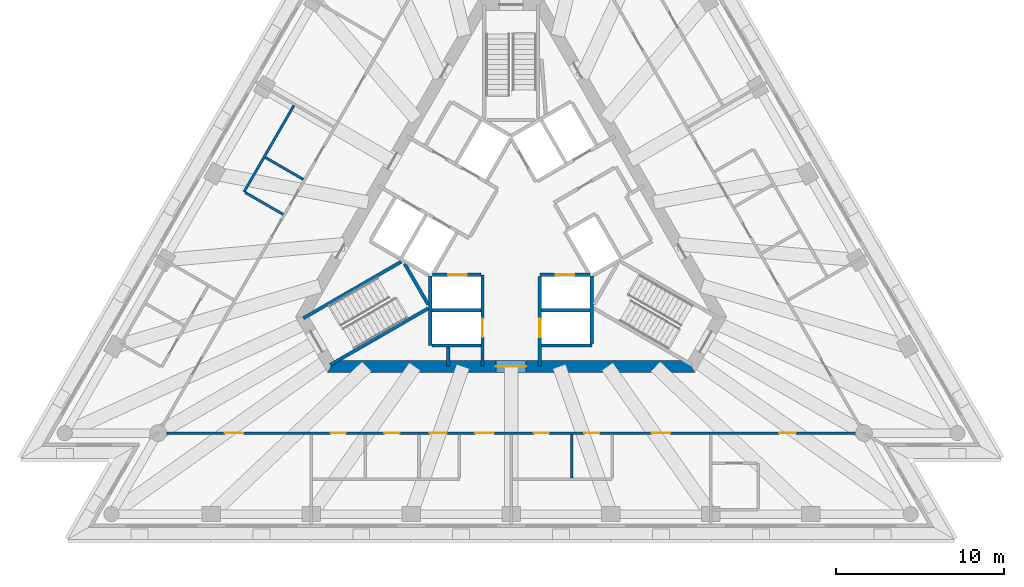
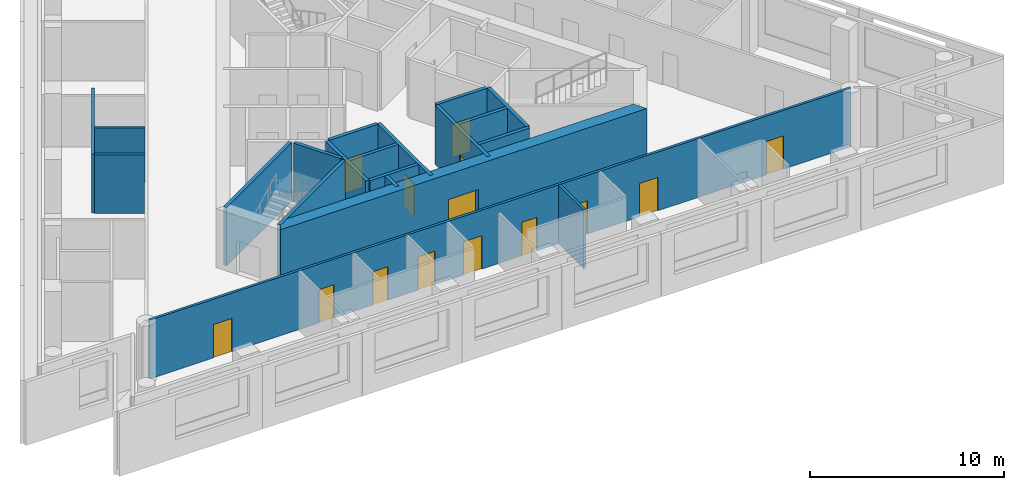
# One storey, part 3 of 9: 20 walls, 14 doors, 14 openings.
"""IFC4 building model written with IfcOpenShell, lengths in metres."""

from ifc_helpers import new_model, si_unit, direction, frame, frame_2d, origin, place, context, subcontext, project, spatial, polyline, rectangle, outline, extrude, material, layer, layer_set, type_object, element, fill, save


model = new_model("IFC4")

# Units and contexts
model_context = context("Model", 3, precision=1e-05, world=origin(), true_north=direction((0.0, 1.0)))
body_context = subcontext(model_context, "Body", "Model", "MODEL_VIEW")
ifc_project = project(units=[si_unit("LENGTHUNIT", "METRE"), si_unit("AREAUNIT", "SQUARE_METRE"), si_unit("VOLUMEUNIT", "CUBIC_METRE"), si_unit("PLANEANGLEUNIT", "RADIAN"), si_unit("MASSUNIT", "GRAM", prefix="KILO")], contexts=[model_context])

# Site, building, storey
site_placement = place(None, origin())
site = spatial("IfcSite", under=ifc_project, at=site_placement, CompositionType="ELEMENT")
building_placement = place(site_placement, origin())
building = spatial("IfcBuilding", under=site, at=building_placement, Name="Triada Interchange Tower", CompositionType="ELEMENT")
storey_placement = place(building_placement, frame((0.0, 0.0, 227.300048828125)))
storey = spatial("IfcBuildingStorey", under=building, at=storey_placement, Name="L53", CompositionType="ELEMENT", Elevation=227.300048828125)

# Walls
ifc_material_1 = material(Name="Concrete C30/37", Category="concrete")
ifc_layer_1 = layer(ifc_material_1, 0.199951171875)
ifc_layer_set_1 = layer_set([ifc_layer_1], Name="CORE WALL 200 EI 120")
wall_type_1 = type_object("IfcWallType", Name="CORE WALL 200 EI 120", PredefinedType="SOLIDWALL", material=ifc_layer_set_1)
for number, where, z_axis, x_axis, name in (
    (1, (-4.699951171875, -4.800048828125, 0.0), (0.0, 0.0, 1.0), (1.0, 0.0, 0.0), "Wall L53 44"),
    (2, (1.800048828125, -4.800048828125, 0.0), (0.0, 0.0, 1.0), (1.0, 0.0, 0.0), "Wall L53 45"),
):
    element("IfcWall", number, at=place(storey_placement, frame(where, z_axis=z_axis, x_axis=x_axis)), inside=storey, type_object=wall_type_1, Name=name, PredefinedType="SOLIDWALL", context=body_context, shape_type="SweptSolid", body=[
        extrude(rectangle(XDim=2.89990234375, YDim=0.199951171875, at=frame_2d((1.449951171875, 0.0))), origin(), (0.0, 0.0, 1.0), 3.699951171875),
    ])
wall_1_placement = place(storey_placement, frame((-4.800048828125, -6.89990234375, 0.0), z_axis=(0.0, 0.0, 1.0), x_axis=(0.0, 1.0, 0.0)))
element("IfcWall", 3, at=wall_1_placement, inside=storey, type_object=wall_type_1, Name="Wall L53 46", PredefinedType="SOLIDWALL", context=body_context, shape_type="SweptSolid", body=[
    extrude(rectangle(XDim=4.130859375, YDim=0.199951171875, at=frame_2d((2.0654296875, 0.0))), origin(), (0.0, 0.0, 1.0), 3.699951171875),
])
wall_2_placement = place(storey_placement, frame((-4.699951171875, -6.89990234375, 0.0), z_axis=(0.0, 0.0, 1.0), x_axis=(1.0, 0.0, 0.0)))
element("IfcWall", 4, at=wall_2_placement, inside=storey, type_object=wall_type_1, Name="Wall L53 47", PredefinedType="SOLIDWALL", context=body_context, shape_type="SweptSolid", body=[
    extrude(rectangle(XDim=2.89990234375, YDim=0.199951171875, at=frame_2d((1.449951171875, 0.0))), origin(), (0.0, 0.0, 1.0), 3.699951171875),
])
wall_3_placement = place(storey_placement, frame((1.800048828125, -6.89990234375, 0.0), z_axis=(0.0, 0.0, 1.0), x_axis=(1.0, 0.0, 0.0)))
element("IfcWall", 5, at=wall_3_placement, inside=storey, type_object=wall_type_1, Name="Wall L53 48", PredefinedType="SOLIDWALL", context=body_context, shape_type="SweptSolid", body=[
    extrude(rectangle(XDim=3.0, YDim=0.199951171875, at=frame_2d((1.5, 0.0))), origin(), (0.0, 0.0, 1.0), 3.699951171875),
])

# Wall, opening, door
wall_4_placement = place(storey_placement, frame((-1.699951171875, -8.1298828125, 0.0), z_axis=(0.0, 0.0, 1.0), x_axis=(0.0, 1.0, 0.0)))
wall_4 = element("IfcWall", 6, at=wall_4_placement, inside=storey, type_object=wall_type_1, Name="Wall L53 49", PredefinedType="SOLIDWALL", context=body_context, shape_type="SweptSolid", body=[
    extrude(rectangle(XDim=5.427001953125, YDim=0.199951171875, at=frame_2d((2.71337890625, 0.0))), origin(), (0.0, 0.0, 1.0), 3.699951171875),
])
opening_1_placement = place(wall_4_placement, frame((1.72998046875, 0.0, 0.0)))
opening_1 = element("IfcOpeningElement", 7, at=opening_1_placement, cuts=wall_4, Name="Opening LD-HR4", PredefinedType="OPENING", context=body_context, shape_type="SweptSolid", body=[
    extrude(rectangle(XDim=1.10009765625, YDim=2.10009765625, at=frame_2d((0.550048828125, 1.050048828125))), frame((0.0, 0.10986328125, 0.0), z_axis=(0.0, -1.0, 0.0), x_axis=(1.0, 0.0, 0.0)), (0.0, 0.0, 1.0), 0.219970703125),
])
ifc_material_2 = material(Name="Steel S235 door leaf", Category="steel")
door_type_1 = type_object("IfcDoorType", Name="LIFT LANDING DOOR 1100 EI 120", OperationType="SLIDING_TO_LEFT", PredefinedType="DOOR", material=ifc_material_2)
door_1_placement = place(opening_1_placement, origin())
door_1 = element("IfcDoor", 8, at=door_1_placement, inside=storey, type_object=door_type_1, Name="HR4 landing door L53", OperationType="SLIDING_TO_LEFT", OverallHeight=2.10009765625, OverallWidth=1.10009765625, PredefinedType="DOOR", context=body_context, shape_type="SweptSolid", body=[
    extrude(rectangle(XDim=1.10009765625, YDim=2.10009765625, at=frame_2d((0.550048828125, 1.050048828125))), frame((0.0, 0.02490234375, 0.0), z_axis=(0.0, -1.0, 0.0), x_axis=(1.0, 0.0, 0.0)), (0.0, 0.0, 1.0), 0.050048828125),
])
fill(opening_1, door_1)

wall_5_placement = place(storey_placement, frame((-4.676025390625, -2.699951171875, 0.0), z_axis=(0.0, 0.0, 1.0), x_axis=(1.0, 0.0, 0.0)))
wall_5 = element("IfcWall", 9, at=wall_5_placement, inside=storey, type_object=wall_type_1, Name="Wall L53 50", PredefinedType="SOLIDWALL", context=body_context, shape_type="SweptSolid", body=[
    extrude(rectangle(XDim=2.873046875, YDim=0.199951171875, at=frame_2d((1.4365234375, 0.0))), origin(), (0.0, 0.0, 1.0), 3.699951171875),
])
opening_2_placement = place(wall_5_placement, frame((0.93701171875, 0.0, 0.0)))
opening_2 = element("IfcOpeningElement", 10, at=opening_2_placement, cuts=wall_5, Name="Opening LD-HR3", PredefinedType="OPENING", context=body_context, shape_type="SweptSolid", body=[
    extrude(rectangle(XDim=1.10009765625, YDim=2.10009765625, at=frame_2d((0.550048828125, 1.050048828125))), frame((0.0, 0.10986328125, 0.0), z_axis=(0.0, -1.0, 0.0), x_axis=(1.0, 0.0, 0.0)), (0.0, 0.0, 1.0), 0.219970703125),
])
door_2_placement = place(opening_2_placement, origin())
door_2 = element("IfcDoor", 11, at=door_2_placement, inside=storey, type_object=door_type_1, Name="HR3 landing door L53", OperationType="SLIDING_TO_LEFT", OverallHeight=2.10009765625, OverallWidth=1.10009765625, PredefinedType="DOOR", context=body_context, shape_type="SweptSolid", body=[
    extrude(rectangle(XDim=1.10009765625, YDim=2.10009765625, at=frame_2d((0.550048828125, 1.050048828125))), frame((0.0, 0.02490234375, 0.0), z_axis=(0.0, -1.0, 0.0), x_axis=(1.0, 0.0, 0.0)), (0.0, 0.0, 1.0), 0.050048828125),
])
fill(opening_2, door_2)

wall_6_placement = place(storey_placement, frame((1.702880859375, -2.699951171875, 0.0), z_axis=(0.0, 0.0, 1.0), x_axis=(1.0, 0.0, 0.0)))
wall_6 = element("IfcWall", 12, at=wall_6_placement, inside=storey, type_object=wall_type_1, Name="Wall L53 51", PredefinedType="SOLIDWALL", context=body_context, shape_type="SweptSolid", body=[
    extrude(rectangle(XDim=2.97314453125, YDim=0.199951171875, at=frame_2d((1.486572265625, 0.0))), origin(), (0.0, 0.0, 1.0), 3.699951171875),
])
opening_3_placement = place(wall_6_placement, frame((0.93603515625, 0.0, 0.0)))
opening_3 = element("IfcOpeningElement", 13, at=opening_3_placement, cuts=wall_6, Name="Opening LD-HR1", PredefinedType="OPENING", context=body_context, shape_type="SweptSolid", body=[
    extrude(rectangle(XDim=1.10009765625, YDim=2.10009765625, at=frame_2d((0.550048828125, 1.050048828125))), frame((0.0, 0.10986328125, 0.0), z_axis=(0.0, -1.0, 0.0), x_axis=(1.0, 0.0, 0.0)), (0.0, 0.0, 1.0), 0.219970703125),
])
door_3_placement = place(opening_3_placement, origin())
door_3 = element("IfcDoor", 14, at=door_3_placement, inside=storey, type_object=door_type_1, Name="HR1 landing door L53", OperationType="SLIDING_TO_LEFT", OverallHeight=2.10009765625, OverallWidth=1.10009765625, PredefinedType="DOOR", context=body_context, shape_type="SweptSolid", body=[
    extrude(rectangle(XDim=1.10009765625, YDim=2.10009765625, at=frame_2d((0.550048828125, 1.050048828125))), frame((0.0, 0.02490234375, 0.0), z_axis=(0.0, -1.0, 0.0), x_axis=(1.0, 0.0, 0.0)), (0.0, 0.0, 1.0), 0.050048828125),
])
fill(opening_3, door_3)

wall_7_placement = place(storey_placement, frame((1.699951171875, -8.1298828125, 0.0), z_axis=(0.0, 0.0, 1.0), x_axis=(0.0, 1.0, 0.0)))
wall_7 = element("IfcWall", 15, at=wall_7_placement, inside=storey, type_object=wall_type_1, Name="Wall L53 56", PredefinedType="SOLIDWALL", context=body_context, shape_type="SweptSolid", body=[
    extrude(rectangle(XDim=5.326904296875, YDim=0.199951171875, at=frame_2d((2.66357421875, 0.0))), origin(), (0.0, 0.0, 1.0), 3.699951171875),
])
opening_4_placement = place(wall_7_placement, frame((1.72998046875, 0.0, 0.0)))
opening_4 = element("IfcOpeningElement", 16, at=opening_4_placement, cuts=wall_7, Name="Opening LD-HR2", PredefinedType="OPENING", context=body_context, shape_type="SweptSolid", body=[
    extrude(rectangle(XDim=1.10009765625, YDim=2.10009765625, at=frame_2d((0.550048828125, 1.050048828125))), frame((0.0, 0.10986328125, 0.0), z_axis=(0.0, -1.0, 0.0), x_axis=(1.0, 0.0, 0.0)), (0.0, 0.0, 1.0), 0.219970703125),
])
door_4_placement = place(opening_4_placement, origin())
door_4 = element("IfcDoor", 17, at=door_4_placement, inside=storey, type_object=door_type_1, Name="HR2 landing door L53", OperationType="SLIDING_TO_LEFT", OverallHeight=2.10009765625, OverallWidth=1.10009765625, PredefinedType="DOOR", context=body_context, shape_type="SweptSolid", body=[
    extrude(rectangle(XDim=1.10009765625, YDim=2.10009765625, at=frame_2d((0.550048828125, 1.050048828125))), frame((0.0, 0.02490234375, 0.0), z_axis=(0.0, -1.0, 0.0), x_axis=(1.0, 0.0, 0.0)), (0.0, 0.0, 1.0), 0.050048828125),
])
fill(opening_4, door_4)

# Walls
wall_8_placement = place(storey_placement, frame((4.800048828125, -6.800048828125, 0.0), z_axis=(0.0, 0.0, 1.0), x_axis=(0.0, 1.0, 0.0)))
element("IfcWall", 18, at=wall_8_placement, inside=storey, type_object=wall_type_1, Name="Wall L53 57", PredefinedType="SOLIDWALL", context=body_context, shape_type="SweptSolid", body=[
    extrude(rectangle(XDim=4.029052734375, YDim=0.199951171875, at=frame_2d((2.0146484375, 0.0))), origin(), (0.0, 0.0, 1.0), 3.699951171875),
])
ifc_layer_2 = layer(ifc_material_1, 0.199951171875)
ifc_layer_set_2 = layer_set([ifc_layer_2], Name="CORE WALL 200 EI 90")
wall_type_2 = type_object("IfcWallType", Name="CORE WALL 200 EI 90", PredefinedType="SOLIDWALL", material=ifc_layer_set_2)
wall_9_placement = place(storey_placement, frame((-3.72412109375, -8.1298828125, 0.0), z_axis=(0.0, 0.0, 1.0), x_axis=(0.0, 1.0, 0.0)))
element("IfcWall", 19, at=wall_9_placement, inside=storey, type_object=wall_type_2, Name="Wall L53 82", PredefinedType="SOLIDWALL", context=body_context, shape_type="SweptSolid", body=[
    extrude(rectangle(XDim=1.1298828125, YDim=0.199951171875, at=frame_2d((0.56494140625, 0.0))), origin(), (0.0, 0.0, 1.0), 3.699951171875),
])
ifc_layer_3 = layer(ifc_material_1, 0.199951171875)
ifc_layer_set_3 = layer_set([ifc_layer_3], Name="CORE WALL 200 REI 240")
wall_type_3 = type_object("IfcWallType", Name="CORE WALL 200 REI 240", PredefinedType="SOLIDWALL", material=ifc_layer_set_3)
wall_10_placement = place(storey_placement, frame((-12.343994140625, -5.279052734375, 0.0), z_axis=(0.0, 0.0, 1.0), x_axis=(0.866046323291, 0.499963764601, 0.0)))
element("IfcWall", 20, at=wall_10_placement, inside=storey, type_object=wall_type_3, Name="Wall L53 87", PredefinedType="SOLIDWALL", context=body_context, shape_type="SweptSolid", body=[
    extrude(rectangle(XDim=6.71435546875, YDim=0.199951171875, at=frame_2d((3.357177734375, 0.0))), origin(), (0.0, 0.0, 1.0), 3.699951171875),
])
wall_11_placement = place(storey_placement, frame((-6.3291015625, -2.0380859375, 0.0), z_axis=(0.0, 0.0, 1.0), x_axis=(0.500200581029, -0.865909567298, 0.0)))
element("IfcWall", 21, at=wall_11_placement, inside=storey, type_object=wall_type_3, Name="Wall L53 88", PredefinedType="SOLIDWALL", context=body_context, shape_type="SweptSolid", body=[
    extrude(rectangle(XDim=2.799072265625, YDim=0.199951171875, at=frame_2d((1.3994140625, 0.0))), origin(), (0.0, 0.0, 1.0), 3.699951171875),
])
wall_12_placement = place(storey_placement, frame((-10.743896484375, -8.051025390625, 0.0), z_axis=(0.0, 0.0, 1.0), x_axis=(0.865983344943, 0.500072840975, 0.0)))
element("IfcWall", 22, at=wall_12_placement, inside=storey, type_object=wall_type_3, Name="Wall L53 89", PredefinedType="SOLIDWALL", context=body_context, shape_type="SweptSolid", body=[
    extrude(rectangle(XDim=6.71484375, YDim=0.199951171875, at=frame_2d((3.357421875, 0.0))), origin(), (0.0, 0.0, 1.0), 3.699951171875),
])

# Wall, opening, door
ifc_material_3 = material(Name="Concrete C50/60", Category="concrete")
ifc_layer_4 = layer(ifc_material_3, 0.699951171875)
ifc_layer_set_4 = layer_set([ifc_layer_4], Name="Core wall C 700")
wall_type_4 = type_object("IfcWallType", Name="Core wall C 700", PredefinedType="SHEAR", material=ifc_layer_set_4)
wall_13_placement = place(storey_placement, frame((-10.7099609375, -8.14990234375, -0.300048828125), z_axis=(0.0, 0.0, 1.0), x_axis=(1.0, 0.0, 0.0)))
wall_13 = element("IfcWall", 23, at=wall_13_placement, inside=storey, type_object=wall_type_4, Name="Core wall WC04 L53", PredefinedType="SHEAR", context=body_context, shape_type="SweptSolid", body=[
    extrude(outline(polyline([(-0.201904296875, -0.35009765625), (1.781982421875, -0.35009765625), (3.76611328125, -0.35009765625), (5.75, -0.35009765625), (7.734130859375, -0.35009765625), (9.718017578125, -0.35009765625), (11.7021484375, -0.35009765625), (13.68603515625, -0.35009765625), (15.670166015625, -0.35009765625), (17.654052734375, -0.35009765625), (19.63818359375, -0.35009765625), (21.6220703125, -0.35009765625), (21.218017578125, 0.35009765625), (19.307373046875, 0.35009765625), (17.39697265625, 0.35009765625), (15.486328125, 0.35009765625), (13.57568359375, 0.35009765625), (11.665283203125, 0.35009765625), (9.754638671875, 0.35009765625), (7.84423828125, 0.35009765625), (5.93359375, 0.35009765625), (4.02294921875, 0.35009765625), (2.112548828125, 0.35009765625), (0.201904296875, 0.35009765625), (-0.201904296875, -0.35009765625)])), origin(), (0.0, 0.0, 1.0), 4.0),
])
opening_5_placement = place(wall_13_placement, frame((9.81005859375, 0.0, 0.300048828125)))
opening_5 = element("IfcOpeningElement", 24, at=opening_5_placement, cuts=wall_13, Name="Opening D53-39", PredefinedType="OPENING", context=body_context, shape_type="SweptSolid", body=[
    extrude(rectangle(XDim=1.800048828125, YDim=2.10009765625, at=frame_2d((0.89990234375, 1.050048828125))), frame((0.0, 0.360107421875, 0.0), z_axis=(0.0, -1.0, 0.0), x_axis=(1.0, 0.0, 0.0)), (0.0, 0.0, 1.0), 0.72021484375),
])
door_type_2 = type_object("IfcDoorType", Name="LOBBY DOOR 1800 EI2 90-C5S200", OperationType="DOUBLE_DOOR_SINGLE_SWING", PredefinedType="DOOR", material=ifc_material_2)
door_5_placement = place(opening_5_placement, origin())
door_5 = element("IfcDoor", 25, at=door_5_placement, inside=storey, type_object=door_type_2, Name="Door D53-39 L53", OperationType="DOUBLE_DOOR_SINGLE_SWING", OverallHeight=2.10009765625, OverallWidth=1.800048828125, PredefinedType="DOOR", context=body_context, shape_type="SweptSolid", body=[
    extrude(rectangle(XDim=1.800048828125, YDim=2.10009765625, at=frame_2d((0.89990234375, 1.050048828125))), frame((0.0, 0.02490234375, 0.0), z_axis=(0.0, -1.0, 0.0), x_axis=(1.0, 0.0, 0.0)), (0.0, 0.0, 1.0), 0.050048828125),
])
fill(opening_5, door_5)

# Wall, openings, doors
ifc_material_4 = material(Name="Gypsum board partition")
ifc_layer_5 = layer(ifc_material_4, 0.14990234375)
ifc_layer_set_5 = layer_set([ifc_layer_5], Name="PARTITION 150 EI 180")
wall_type_5 = type_object("IfcWallType", Name="PARTITION 150 EI 180", PredefinedType="PARTITIONING", material=ifc_layer_set_5)
wall_14_placement = place(storey_placement, frame((-20.80810546875, -12.10009765625, 0.0), z_axis=(0.0, 0.0, 1.0), x_axis=(1.0, 0.0, 0.0)))
wall_14 = element("IfcWall", 26, at=wall_14_placement, inside=storey, type_object=wall_type_5, Name="Wall L53 5", PredefinedType="PARTITIONING", context=body_context, shape_type="SweptSolid", body=[
    extrude(rectangle(XDim=41.76611328125, YDim=0.14990234375, at=frame_2d((20.883056640625, 0.0))), origin(), (0.0, 0.0, 1.0), 3.699951171875),
])
opening_6_placement = place(wall_14_placement, frame((3.800048828125, 0.0, 0.0)))
opening_6 = element("IfcOpeningElement", 27, at=opening_6_placement, cuts=wall_14, Name="Opening D53-11", PredefinedType="OPENING", context=body_context, shape_type="SweptSolid", body=[
    extrude(rectangle(XDim=1.10009765625, YDim=2.10009765625, at=frame_2d((0.550048828125, 1.050048828125))), frame((0.0, 0.0849609375, 0.0), z_axis=(0.0, -1.0, 0.0), x_axis=(1.0, 0.0, 0.0)), (0.0, 0.0, 1.0), 0.169921875),
])
opening_7_placement = place(wall_14_placement, frame((18.68505859375, 0.0, 0.0)))
opening_7 = element("IfcOpeningElement", 28, at=opening_7_placement, cuts=wall_14, Name="Opening D53-12", PredefinedType="OPENING", context=body_context, shape_type="SweptSolid", body=[
    extrude(rectangle(XDim=1.10009765625, YDim=2.10009765625, at=frame_2d((0.550048828125, 1.050048828125))), frame((0.0, 0.0849609375, 0.0), z_axis=(0.0, -1.0, 0.0), x_axis=(1.0, 0.0, 0.0)), (0.0, 0.0, 1.0), 0.169921875),
])
opening_8_placement = place(wall_14_placement, frame((10.0849609375, 0.0, 0.0)))
opening_8 = element("IfcOpeningElement", 29, at=opening_8_placement, cuts=wall_14, Name="Opening D53-13", PredefinedType="OPENING", context=body_context, shape_type="SweptSolid", body=[
    extrude(rectangle(XDim=0.89990234375, YDim=2.10009765625, at=frame_2d((0.449951171875, 1.050048828125))), frame((0.0, 0.0849609375, 0.0), z_axis=(0.0, -1.0, 0.0), x_axis=(1.0, 0.0, 0.0)), (0.0, 0.0, 1.0), 0.169921875),
])
opening_9_placement = place(wall_14_placement, frame((13.284912109375, 0.0, 0.0)))
opening_9 = element("IfcOpeningElement", 30, at=opening_9_placement, cuts=wall_14, Name="Opening D53-14", PredefinedType="OPENING", context=body_context, shape_type="SweptSolid", body=[
    extrude(rectangle(XDim=0.89990234375, YDim=2.10009765625, at=frame_2d((0.449951171875, 1.050048828125))), frame((0.0, 0.0849609375, 0.0), z_axis=(0.0, -1.0, 0.0), x_axis=(1.0, 0.0, 0.0)), (0.0, 0.0, 1.0), 0.169921875),
])
opening_10_placement = place(wall_14_placement, frame((15.985107421875, 0.0, 0.0)))
opening_10 = element("IfcOpeningElement", 31, at=opening_10_placement, cuts=wall_14, Name="Opening D53-15", PredefinedType="OPENING", context=body_context, shape_type="SweptSolid", body=[
    extrude(rectangle(XDim=1.0, YDim=2.10009765625, at=frame_2d((0.5, 1.050048828125))), frame((0.0, 0.0849609375, 0.0), z_axis=(0.0, -1.0, 0.0), x_axis=(1.0, 0.0, 0.0)), (0.0, 0.0, 1.0), 0.169921875),
])
opening_11_placement = place(wall_14_placement, frame((29.157958984375, 0.0, 0.0)))
opening_11 = element("IfcOpeningElement", 32, at=opening_11_placement, cuts=wall_14, Name="Opening D53-16", PredefinedType="OPENING", context=body_context, shape_type="SweptSolid", body=[
    extrude(rectangle(XDim=1.10009765625, YDim=2.10009765625, at=frame_2d((0.550048828125, 1.050048828125))), frame((0.0, 0.0849609375, 0.0), z_axis=(0.0, -1.0, 0.0), x_axis=(1.0, 0.0, 0.0)), (0.0, 0.0, 1.0), 0.169921875),
])
opening_12_placement = place(wall_14_placement, frame((22.157958984375, 0.0, 0.0)))
opening_12 = element("IfcOpeningElement", 33, at=opening_12_placement, cuts=wall_14, Name="Opening D53-17", PredefinedType="OPENING", context=body_context, shape_type="SweptSolid", body=[
    extrude(rectangle(XDim=0.89990234375, YDim=2.10009765625, at=frame_2d((0.449951171875, 1.050048828125))), frame((0.0, 0.0849609375, 0.0), z_axis=(0.0, -1.0, 0.0), x_axis=(1.0, 0.0, 0.0)), (0.0, 0.0, 1.0), 0.169921875),
])
opening_13_placement = place(wall_14_placement, frame((25.157958984375, 0.0, 0.0)))
opening_13 = element("IfcOpeningElement", 34, at=opening_13_placement, cuts=wall_14, Name="Opening D53-18", PredefinedType="OPENING", context=body_context, shape_type="SweptSolid", body=[
    extrude(rectangle(XDim=0.89990234375, YDim=2.10009765625, at=frame_2d((0.449951171875, 1.050048828125))), frame((0.0, 0.0849609375, 0.0), z_axis=(0.0, -1.0, 0.0), x_axis=(1.0, 0.0, 0.0)), (0.0, 0.0, 1.0), 0.169921875),
])
opening_14_placement = place(wall_14_placement, frame((36.73095703125, 0.0, 0.0)))
opening_14 = element("IfcOpeningElement", 35, at=opening_14_placement, cuts=wall_14, Name="Opening D53-19", PredefinedType="OPENING", context=body_context, shape_type="SweptSolid", body=[
    extrude(rectangle(XDim=1.0, YDim=2.10009765625, at=frame_2d((0.5, 1.050048828125))), frame((0.0, 0.0849609375, 0.0), z_axis=(0.0, -1.0, 0.0), x_axis=(1.0, 0.0, 0.0)), (0.0, 0.0, 1.0), 0.169921875),
])
door_type_3 = type_object("IfcDoorType", Name="ROOM DOOR 1000 EI2 90-C5S200", OperationType="NOTDEFINED", PredefinedType="DOOR", material=ifc_material_2)
door_6_placement = place(opening_10_placement, origin())
door_6 = element("IfcDoor", 36, at=door_6_placement, inside=storey, type_object=door_type_3, Name="Door D53-15 L53", OperationType="SINGLE_SWING_LEFT", OverallHeight=2.10009765625, OverallWidth=1.0, PredefinedType="DOOR", context=body_context, shape_type="SweptSolid", body=[
    extrude(rectangle(XDim=1.0, YDim=2.10009765625, at=frame_2d((0.5, 1.050048828125))), frame((0.0, 0.02490234375, 0.0), z_axis=(0.0, -1.0, 0.0), x_axis=(1.0, 0.0, 0.0)), (0.0, 0.0, 1.0), 0.050048828125),
])
fill(opening_10, door_6)
door_7_placement = place(opening_14_placement, origin())
door_7 = element("IfcDoor", 37, at=door_7_placement, inside=storey, type_object=door_type_3, Name="Door D53-19 L53", OperationType="SINGLE_SWING_LEFT", OverallHeight=2.10009765625, OverallWidth=1.0, PredefinedType="DOOR", context=body_context, shape_type="SweptSolid", body=[
    extrude(rectangle(XDim=1.0, YDim=2.10009765625, at=frame_2d((0.5, 1.050048828125))), frame((0.0, 0.02490234375, 0.0), z_axis=(0.0, -1.0, 0.0), x_axis=(1.0, 0.0, 0.0)), (0.0, 0.0, 1.0), 0.050048828125),
])
fill(opening_14, door_7)
door_type_4 = type_object("IfcDoorType", Name="ROOM DOOR 900 EI2 90-C5S200", OperationType="NOTDEFINED", PredefinedType="DOOR", material=ifc_material_2)
door_8_placement = place(opening_8_placement, origin())
door_8 = element("IfcDoor", 38, at=door_8_placement, inside=storey, type_object=door_type_4, Name="Door D53-13 L53", OperationType="SINGLE_SWING_RIGHT", OverallHeight=2.10009765625, OverallWidth=0.89990234375, PredefinedType="DOOR", context=body_context, shape_type="SweptSolid", body=[
    extrude(rectangle(XDim=0.89990234375, YDim=2.10009765625, at=frame_2d((0.449951171875, 1.050048828125))), frame((0.0, 0.02490234375, 0.0), z_axis=(0.0, -1.0, 0.0), x_axis=(1.0, 0.0, 0.0)), (0.0, 0.0, 1.0), 0.050048828125),
])
fill(opening_8, door_8)
door_9_placement = place(opening_9_placement, origin())
door_9 = element("IfcDoor", 39, at=door_9_placement, inside=storey, type_object=door_type_4, Name="Door D53-14 L53", OperationType="SINGLE_SWING_RIGHT", OverallHeight=2.10009765625, OverallWidth=0.89990234375, PredefinedType="DOOR", context=body_context, shape_type="SweptSolid", body=[
    extrude(rectangle(XDim=0.89990234375, YDim=2.10009765625, at=frame_2d((0.449951171875, 1.050048828125))), frame((0.0, 0.02490234375, 0.0), z_axis=(0.0, -1.0, 0.0), x_axis=(1.0, 0.0, 0.0)), (0.0, 0.0, 1.0), 0.050048828125),
])
fill(opening_9, door_9)
door_10_placement = place(opening_12_placement, origin())
door_10 = element("IfcDoor", 40, at=door_10_placement, inside=storey, type_object=door_type_4, Name="Door D53-17 L53", OperationType="SINGLE_SWING_RIGHT", OverallHeight=2.10009765625, OverallWidth=0.89990234375, PredefinedType="DOOR", context=body_context, shape_type="SweptSolid", body=[
    extrude(rectangle(XDim=0.89990234375, YDim=2.10009765625, at=frame_2d((0.449951171875, 1.050048828125))), frame((0.0, 0.02490234375, 0.0), z_axis=(0.0, -1.0, 0.0), x_axis=(1.0, 0.0, 0.0)), (0.0, 0.0, 1.0), 0.050048828125),
])
fill(opening_12, door_10)
door_11_placement = place(opening_13_placement, origin())
door_11 = element("IfcDoor", 41, at=door_11_placement, inside=storey, type_object=door_type_4, Name="Door D53-18 L53", OperationType="SINGLE_SWING_RIGHT", OverallHeight=2.10009765625, OverallWidth=0.89990234375, PredefinedType="DOOR", context=body_context, shape_type="SweptSolid", body=[
    extrude(rectangle(XDim=0.89990234375, YDim=2.10009765625, at=frame_2d((0.449951171875, 1.050048828125))), frame((0.0, 0.02490234375, 0.0), z_axis=(0.0, -1.0, 0.0), x_axis=(1.0, 0.0, 0.0)), (0.0, 0.0, 1.0), 0.050048828125),
])
fill(opening_13, door_11)
door_type_5 = type_object("IfcDoorType", Name="TENANCY ENTRANCE DOOR 1100 EI2 90-C5S200", OperationType="NOTDEFINED", PredefinedType="DOOR", material=ifc_material_2)
door_12_placement = place(opening_6_placement, origin())
door_12 = element("IfcDoor", 42, at=door_12_placement, inside=storey, type_object=door_type_5, Name="Door D53-11 L53", OperationType="SINGLE_SWING_RIGHT", OverallHeight=2.10009765625, OverallWidth=1.10009765625, PredefinedType="DOOR", context=body_context, shape_type="SweptSolid", body=[
    extrude(rectangle(XDim=1.10009765625, YDim=2.10009765625, at=frame_2d((0.550048828125, 1.050048828125))), frame((0.0, 0.02490234375, 0.0), z_axis=(0.0, -1.0, 0.0), x_axis=(1.0, 0.0, 0.0)), (0.0, 0.0, 1.0), 0.050048828125),
])
fill(opening_6, door_12)
door_13_placement = place(opening_7_placement, origin())
door_13 = element("IfcDoor", 43, at=door_13_placement, inside=storey, type_object=door_type_5, Name="Door D53-12 L53", OperationType="SINGLE_SWING_LEFT", OverallHeight=2.10009765625, OverallWidth=1.10009765625, PredefinedType="DOOR", context=body_context, shape_type="SweptSolid", body=[
    extrude(rectangle(XDim=1.10009765625, YDim=2.10009765625, at=frame_2d((0.550048828125, 1.050048828125))), frame((0.0, 0.02490234375, 0.0), z_axis=(0.0, -1.0, 0.0), x_axis=(1.0, 0.0, 0.0)), (0.0, 0.0, 1.0), 0.050048828125),
])
fill(opening_7, door_13)
door_14_placement = place(opening_11_placement, origin())
door_14 = element("IfcDoor", 44, at=door_14_placement, inside=storey, type_object=door_type_5, Name="Door D53-16 L53", OperationType="SINGLE_SWING_LEFT", OverallHeight=2.10009765625, OverallWidth=1.10009765625, PredefinedType="DOOR", context=body_context, shape_type="SweptSolid", body=[
    extrude(rectangle(XDim=1.10009765625, YDim=2.10009765625, at=frame_2d((0.550048828125, 1.050048828125))), frame((0.0, 0.02490234375, 0.0), z_axis=(0.0, -1.0, 0.0), x_axis=(1.0, 0.0, 0.0)), (0.0, 0.0, 1.0), 0.050048828125),
])
fill(opening_11, door_14)

# Walls
wall_15_placement = place(storey_placement, frame((-15.867919921875, 2.23291015625, 0.0), z_axis=(0.0, 0.0, 1.0), x_axis=(0.499932914044, 0.866064132415, 0.0)))
element("IfcWall", 45, at=wall_15_placement, inside=storey, type_object=wall_type_5, Name="Wall L53 8", PredefinedType="PARTITIONING", context=body_context, shape_type="SweptSolid", body=[
    extrude(rectangle(XDim=5.924560546875, YDim=0.14990234375, at=frame_2d((2.96240234375, 0.0))), origin(), (0.0, 0.0, 1.0), 3.699951171875),
])
for number, where, z_axis, x_axis, name in (
    (46, (-15.802978515625, 2.195068359375, 0.0), (0.0, 0.0, 1.0), (0.8660749285, -0.499914210863, 0.0), "Wall L53 9"),
    (47, (-14.60302734375, 4.27294921875, 0.0), (0.0, 0.0, 1.0), (0.8660749285, -0.499914210863, 0.0), "Wall L53 10"),
):
    element("IfcWall", number, at=place(storey_placement, frame(where, z_axis=z_axis, x_axis=x_axis)), inside=storey, type_object=wall_type_5, Name=name, PredefinedType="PARTITIONING", context=body_context, shape_type="SweptSolid", body=[
        extrude(rectangle(XDim=2.6083984375, YDim=0.14990234375, at=frame_2d((1.30419921875, 0.0))), origin(), (0.0, 0.0, 1.0), 3.699951171875),
    ])
wall_16_placement = place(storey_placement, frame((3.60009765625, -14.783935546875, 0.0), z_axis=(0.0, 0.0, 1.0), x_axis=(0.0, 1.0, 0.0)))
element("IfcWall", 48, at=wall_16_placement, inside=storey, type_object=wall_type_5, Name="Wall L53 22", PredefinedType="PARTITIONING", context=body_context, shape_type="SweptSolid", body=[
    extrude(rectangle(XDim=2.60888671875, YDim=0.14990234375, at=frame_2d((1.304443359375, 0.0))), origin(), (0.0, 0.0, 1.0), 3.699951171875),
])

save(model, "model.ifc")
